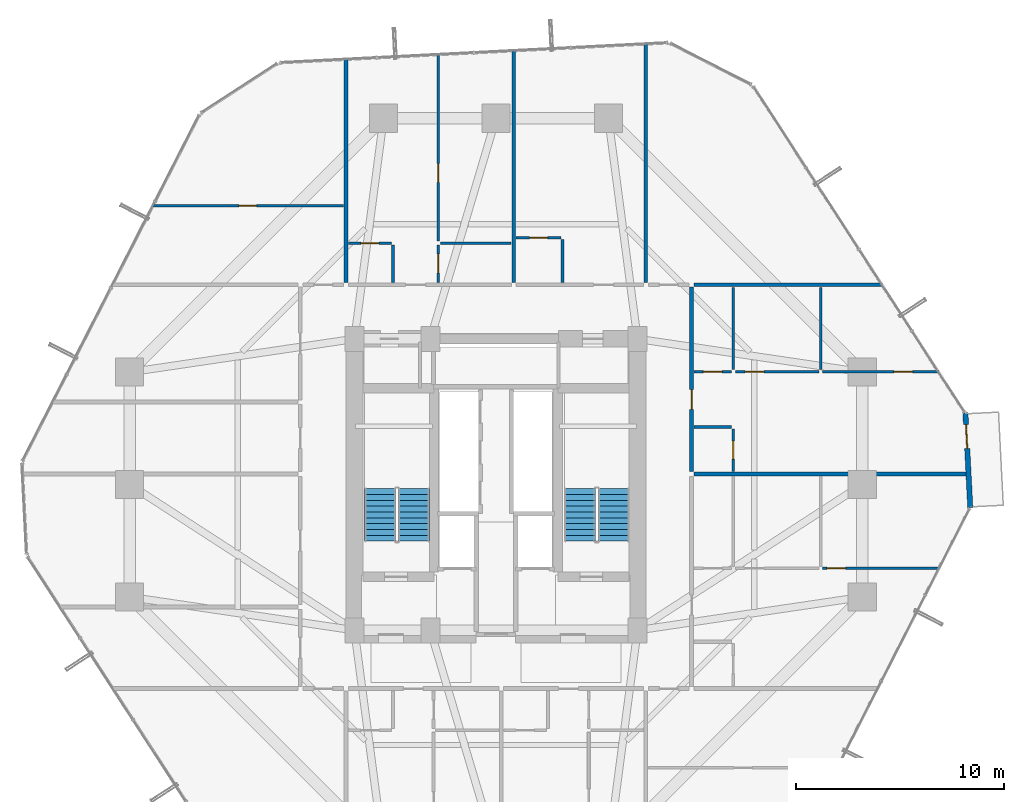
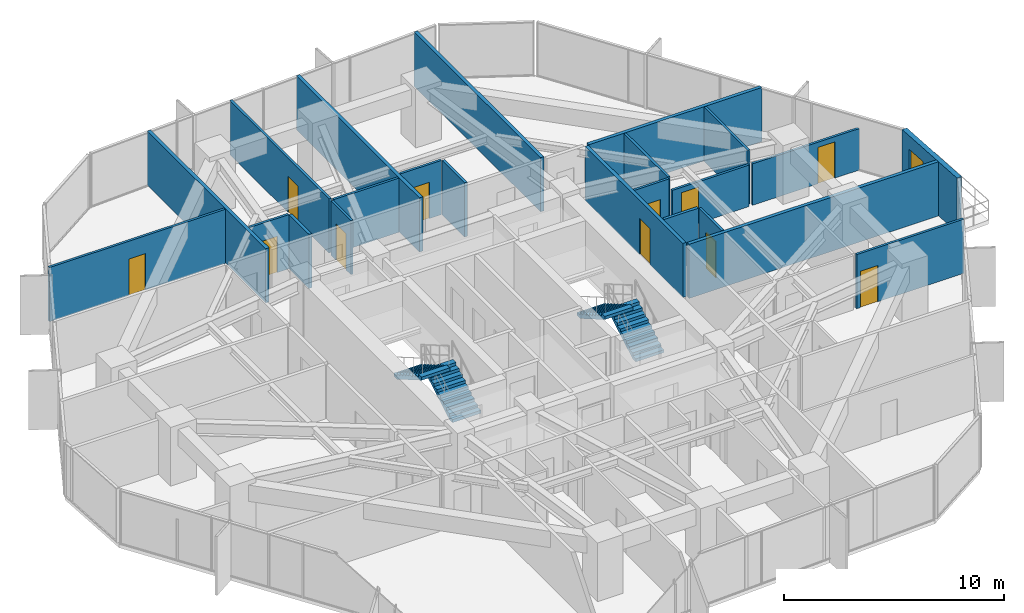
# One storey, part 35 of 37: 23 walls, 12 doors, 4 stair flights, 12 openings, 2 elements without a shape of their own.
"""IFC4 building model written with IfcOpenShell, lengths in metres."""

import ifcopenshell
import ifcopenshell.guid

model = None  # the IFC model being written
_history = None  # IfcOwnerHistory: only IFC2X3 demands one
_inside = {}  # id of a spatial element -> (the spatial element, [elements in it])
_under = {}  # id of a project, library or spatial element -> (it, [spatial elements below it])
_declared = {}  # id of a project -> (the project, [libraries it declares])
_typed = {}  # id of a type object -> (the type object, [elements of that type])
_made_of = {}  # id of a material, layer set ... -> (it, [elements and type objects made of it])


def new_model(schema):
    """Start an empty IFC model of exactly this schema.

    Asked for "IFC4X3", IfcOpenShell would pick the latest addendum, in which some entities
    have other attributes; the version numbers below select the first issue.
    IFC2X3 requires an IfcOwnerHistory on every rooted entity: one is made here for all.
    """
    global model, _history
    if schema == "IFC4X3":
        model = ifcopenshell.file(schema_version=(4, 3, 0, 0))
    else:
        model = ifcopenshell.file(schema=schema)
    _inside.clear()
    _under.clear()
    _declared.clear()
    _typed.clear()
    _made_of.clear()
    _history = None
    if model.schema == "IFC2X3":
        org = make("IfcOrganization", Name="unknown")
        user = make(
            "IfcPersonAndOrganization",
            ThePerson=make("IfcPerson", FamilyName="unknown"),
            TheOrganization=org,
        )
        app = make(
            "IfcApplication",
            ApplicationDeveloper=org,
            Version="unknown",
            ApplicationFullName="unknown",
            ApplicationIdentifier="unknown",
        )
        _history = make(
            "IfcOwnerHistory",
            OwningUser=user,
            OwningApplication=app,
            ChangeAction="ADDED",
            CreationDate=0,
        )
    return model


def make(cls, **values):
    """One entity of the class cls with the attributes given. An attribute that is None is left unset."""
    return model.create_entity(
        cls, **{name: value for name, value in values.items() if value is not None}
    )


def rooted(cls, **values):
    """An entity with a GlobalId (a new one), such as an element, a storey or a relation."""
    return make(cls, GlobalId=ifcopenshell.guid.new(), OwnerHistory=_history, **values)


def si_unit(unit_type, name, prefix=None):
    """IfcSIUnit, for example si_unit("LENGTHUNIT", "METRE", prefix="MILLI")."""
    return make("IfcSIUnit", UnitType=unit_type, Prefix=prefix, Name=name)


def assignment(units):
    """IfcUnitAssignment: the units of a project."""
    return None if units is None else make("IfcUnitAssignment", Units=units)


def point(xyz):
    """IfcCartesianPoint."""
    return None if xyz is None else make("IfcCartesianPoint", Coordinates=xyz)


def direction(xyz):
    """IfcDirection."""
    return None if xyz is None else make("IfcDirection", DirectionRatios=xyz)


def frame(location, z_axis=None, x_axis=None):
    """IfcAxis2Placement3D, a coordinate frame: its origin and axes. An axis left out is left unset."""
    return make(
        "IfcAxis2Placement3D",
        Location=point(location),
        Axis=direction(z_axis),
        RefDirection=direction(x_axis),
    )


def frame_2d(location, x_axis=None):
    """IfcAxis2Placement2D, a coordinate frame in the plane: its origin and x axis."""
    return make(
        "IfcAxis2Placement2D", Location=point(location), RefDirection=direction(x_axis)
    )


def origin():
    """The frame at (0, 0, 0) with its axes left unset."""
    return frame((0.0, 0.0, 0.0))


def place(relative_to, where):
    """IfcLocalPlacement: puts the frame where relative to a parent placement (None: the world)."""
    return make(
        "IfcLocalPlacement", PlacementRelTo=relative_to, RelativePlacement=where
    )


def context(
    kind, dimensions, precision=None, world=None, true_north=None, identifier=None
):
    """IfcGeometricRepresentationContext, for example the 3D "Model" context."""
    return make(
        "IfcGeometricRepresentationContext",
        ContextIdentifier=identifier,
        ContextType=kind,
        CoordinateSpaceDimension=dimensions,
        Precision=precision,
        WorldCoordinateSystem=world,
        TrueNorth=true_north,
    )


def subcontext(parent, identifier, kind, view, scale=None):
    """IfcGeometricRepresentationSubContext, for example "Body" below "Model"."""
    return make(
        "IfcGeometricRepresentationSubContext",
        ContextIdentifier=identifier,
        ContextType=kind,
        ParentContext=parent,
        TargetScale=scale,
        TargetView=view,
    )


def project(units=None, contexts=None):
    """IfcProject with its units and contexts."""
    return rooted(
        "IfcProject",
        Name="project",
        RepresentationContexts=contexts,
        UnitsInContext=assignment(units),
    )


def spatial(cls, under=None, at=None, **own):
    """A site, building, storey or space (cls), placed at a placement, below another one or the project."""
    s = rooted(cls, ObjectPlacement=at, **own)
    if under is not None:
        _under.setdefault(under.id(), (under, []))[1].append(s)
    return s


def polyline(points):
    """IfcPolyline through the points."""
    return make("IfcPolyline", Points=[point(p) for p in points])


def profile(cls, at=None, kind="AREA", **sizes):
    """A parametric profile (cls). Its sizes go by their IFC names, for example OverallWidth=200.0."""
    return make(cls, ProfileType=kind, Position=at, **sizes)


def rectangle(**sizes):
    """IfcRectangleProfileDef."""
    return profile("IfcRectangleProfileDef", **sizes)


def outline(outer, holes=None, kind="AREA"):
    """IfcArbitraryClosedProfileDef: a profile drawn as a closed curve; with holes, ...WithVoids."""
    if holes is None:
        return make("IfcArbitraryClosedProfileDef", ProfileType=kind, OuterCurve=outer)
    return make(
        "IfcArbitraryProfileDefWithVoids",
        ProfileType=kind,
        OuterCurve=outer,
        InnerCurves=holes,
    )


def extrude(swept, where, along, depth):
    """IfcExtrudedAreaSolid: the profile swept, set in the frame where, extruded along a direction by depth."""
    return make(
        "IfcExtrudedAreaSolid",
        SweptArea=swept,
        Position=where,
        ExtrudedDirection=direction(along),
        Depth=depth,
    )


def shape(context_of_items, identifier, shape_type, items):
    """IfcShapeRepresentation: the items that make up one representation, for example the "Body"."""
    return make(
        "IfcShapeRepresentation",
        ContextOfItems=context_of_items,
        RepresentationIdentifier=identifier,
        RepresentationType=shape_type,
        Items=items,
    )


def source(mapping_origin, context_of_items, identifier, shape_type, items):
    """IfcRepresentationMap: a shape defined once, which mapped items show again and again."""
    return make(
        "IfcRepresentationMap",
        MappingOrigin=mapping_origin,
        MappedRepresentation=shape(context_of_items, identifier, shape_type, items),
    )


def transform(
    local_origin,
    x_axis=None,
    y_axis=None,
    z_axis=None,
    scale=None,
    scale2=None,
    scale3=None,
    uniform=True,
):
    """IfcCartesianTransformationOperator3D, or its non-uniform kind. x_axis, y_axis, z_axis: its Axis1, 2, 3."""
    if uniform:
        return make(
            "IfcCartesianTransformationOperator3D",
            Axis1=direction(x_axis),
            Axis2=direction(y_axis),
            LocalOrigin=point(local_origin),
            Scale=scale,
            Axis3=direction(z_axis),
        )
    return make(
        "IfcCartesianTransformationOperator3DnonUniform",
        Axis1=direction(x_axis),
        Axis2=direction(y_axis),
        LocalOrigin=point(local_origin),
        Scale=scale,
        Axis3=direction(z_axis),
        Scale2=scale2,
        Scale3=scale3,
    )


def mapped(mapping_source, mapping_target):
    """IfcMappedItem: shows the shape of a source again, moved by a transform."""
    return make(
        "IfcMappedItem", MappingSource=mapping_source, MappingTarget=mapping_target
    )


def material(Name=None, Category=None):
    """IfcMaterial."""
    return make("IfcMaterial", Name=Name, Category=Category)


def layer(
    of_material, thickness, ventilated=None, Name=None, Category=None, Priority=None
):
    """IfcMaterialLayer: one layer of a wall or slab, of a material (None: an air gap)."""
    return make(
        "IfcMaterialLayer",
        Material=of_material,
        LayerThickness=thickness,
        IsVentilated=ventilated,
        Name=Name,
        Category=Category,
        Priority=Priority,
    )


def layer_set(layers, Name=None):
    """IfcMaterialLayerSet."""
    return make("IfcMaterialLayerSet", MaterialLayers=layers, LayerSetName=Name)


def made_of(thing, what):
    """Note that an element or type object is made of a material, layer set ...; save() writes the relation."""
    if what is not None:
        _made_of.setdefault(what.id(), (what, []))[1].append(thing)
    return thing


def type_object(cls, material=None, **own):
    """A type object (cls), such as IfcWallType, which elements share."""
    return made_of(rooted(cls, **own), material)


def element(
    cls,
    number,
    at=None,
    inside=None,
    cuts=None,
    type_object=None,
    material=None,
    context=None,
    identifier="Body",
    shape_type=None,
    held_by="IfcProductDefinitionShape",
    body=None,
    shapes=None,
    **own,
):
    """One element of the class cls, such as IfcWall. Its Tag is "e" and its number.

    at: its placement. inside: the storey or other place that contains it. cuts: it is an
    opening in that element (IfcRelVoidsElement). A single representation is given by context,
    identifier, shape_type and body (its items); several are given by shapes. held_by: the class
    of the entity that holds the representations. save() writes the other relations.
    """
    e = rooted(cls, Tag="e%d" % number, ObjectPlacement=at, **own)
    if body is not None:
        shapes = [shape(context, identifier, shape_type, body)]
    if shapes is not None:
        e.Representation = make(held_by, Representations=shapes)
    if inside is not None:
        _inside.setdefault(inside.id(), (inside, []))[1].append(e)
    if cuts is not None:
        rooted(
            "IfcRelVoidsElement", RelatingBuildingElement=cuts, RelatedOpeningElement=e
        )
    if type_object is not None:
        _typed.setdefault(type_object.id(), (type_object, []))[1].append(e)
    return made_of(e, material)


def fill(opening, filler):
    """IfcRelFillsElement: the door or window that sits in an opening."""
    return rooted(
        "IfcRelFillsElement",
        RelatingOpeningElement=opening,
        RelatedBuildingElement=filler,
    )


def aggregate(whole, parts):
    """IfcRelAggregates: a whole, such as a stair, and the parts it consists of."""
    return rooted("IfcRelAggregates", RelatingObject=whole, RelatedObjects=parts)


def save(model, path):
    """Write the relations noted so far, then the file.

    IfcRelAggregates (storeys below a building ...), IfcRelContainedInSpatialStructure (elements
    in a storey), IfcRelDefinesByType, IfcRelAssociatesMaterial and IfcRelDeclares: one each for
    every whole, place, type object, material and project.
    """
    for whole, parts in _under.values():
        aggregate(whole, parts)
    for where, things in _inside.values():
        rooted(
            "IfcRelContainedInSpatialStructure",
            RelatedElements=things,
            RelatingStructure=where,
        )
    for kind, things in _typed.values():
        rooted("IfcRelDefinesByType", RelatedObjects=things, RelatingType=kind)
    for what, things in _made_of.values():
        rooted("IfcRelAssociatesMaterial", RelatedObjects=things, RelatingMaterial=what)
    for by, libraries in _declared.values():
        rooted("IfcRelDeclares", RelatingContext=by, RelatedDefinitions=libraries)
    model.write(path)


model = new_model("IFC4")

# Units and contexts
model_context = context("Model", 3, precision=1e-05, world=origin(), true_north=direction((0.0, 1.0)))
body_context = subcontext(model_context, "Body", "Model", "MODEL_VIEW")
ifc_project = project(units=[si_unit("LENGTHUNIT", "METRE"), si_unit("AREAUNIT", "SQUARE_METRE"), si_unit("VOLUMEUNIT", "CUBIC_METRE"), si_unit("PLANEANGLEUNIT", "RADIAN"), si_unit("MASSUNIT", "GRAM", prefix="KILO")], contexts=[model_context])

# Site, building, storey
site_placement = place(None, origin())
site = spatial("IfcSite", under=ifc_project, at=site_placement, CompositionType="ELEMENT")
building_placement = place(site_placement, origin())
building = spatial("IfcBuilding", under=site, at=building_placement, Name="Veraguas Prism Commons", CompositionType="ELEMENT")
storey_placement = place(building_placement, frame((0.0, 0.0, 33.800048828125)))
storey = spatial("IfcBuildingStorey", under=building, at=storey_placement, Name="L08", CompositionType="ELEMENT", Elevation=33.800048828125)

# Walls
ifc_material_1 = material(Name="Autoclaved aerated masonry block 10 MPa", Category="masonry")
ifc_layer_1 = layer(ifc_material_1, 0.179931640625, Name="Corridor and Inter-Tenancy Partition 180", Category="masonry")
ifc_layer_set_1 = layer_set([ifc_layer_1], Name="Autoclaved aerated masonry block 10 MPa")
wall_type_1 = type_object("IfcWallType", Name="Corridor and Inter-Tenancy Partition 180", PredefinedType="PARTITIONING", material=ifc_layer_set_1)
wall_1_placement = place(storey_placement, frame((16.800048828125, 33.719970703125, 0.0), z_axis=(0.0, 0.0, 1.0), x_axis=(0.0, 1.0, 0.0)))
element("IfcWall", 1, at=wall_1_placement, inside=storey, type_object=wall_type_1, Name="WL-L08-PT016", PredefinedType="PARTITIONING", context=body_context, shape_type="SweptSolid", body=[
    extrude(rectangle(XDim=10.752197265625, YDim=0.179931640625, at=frame_2d((5.3759765625, 0.0))), origin(), (0.0, 0.0, 1.0), 3.0),
])
wall_2_placement = place(storey_placement, frame((31.199951171875, 33.719970703125, 0.0), z_axis=(0.0, 0.0, 1.0), x_axis=(0.0, 1.0, 0.0)))
element("IfcWall", 2, at=wall_2_placement, inside=storey, type_object=wall_type_1, Name="WL-L08-PT017", PredefinedType="PARTITIONING", context=body_context, shape_type="SweptSolid", body=[
    extrude(rectangle(XDim=11.491943359375, YDim=0.179931640625, at=frame_2d((5.74609375, 0.0))), origin(), (0.0, 0.0, 1.0), 3.0),
])
wall_3_placement = place(storey_placement, frame((24.85205078125, 33.719970703125, 0.0), z_axis=(0.0, 0.0, 1.0), x_axis=(0.0, 1.0, 0.0)))
element("IfcWall", 3, at=wall_3_placement, inside=storey, type_object=wall_type_1, Name="WL-L08-PT024", PredefinedType="PARTITIONING", context=body_context, shape_type="SweptSolid", body=[
    extrude(rectangle(XDim=11.165771484375, YDim=0.179931640625, at=frame_2d((5.5830078125, 0.0))), origin(), (0.0, 0.0, 1.0), 3.0),
])
wall_4_placement = place(storey_placement, frame((33.52001953125, 33.60009765625, 0.0), z_axis=(0.0, 0.0, 1.0), x_axis=(1.0, 0.0, 0.0)))
element("IfcWall", 4, at=wall_4_placement, inside=storey, type_object=wall_type_1, Name="WL-L08-PT038", PredefinedType="PARTITIONING", context=body_context, shape_type="SweptSolid", body=[
    extrude(rectangle(XDim=9.061767578125, YDim=0.179931640625, at=frame_2d((4.53076171875, 0.0))), origin(), (0.0, 0.0, 1.0), 3.0),
])
wall_5_placement = place(storey_placement, frame((33.52001953125, 24.508056640625, 0.0), z_axis=(0.0, 0.0, 1.0), x_axis=(1.0, 0.0, 0.0)))
element("IfcWall", 5, at=wall_5_placement, inside=storey, type_object=wall_type_1, Name="WL-L08-PT047", PredefinedType="PARTITIONING", context=body_context, shape_type="SweptSolid", body=[
    extrude(rectangle(XDim=13.21484375, YDim=0.179931640625, at=frame_2d((6.607421875, 0.0))), origin(), (0.0, 0.0, 1.0), 3.0),
])

# Wall, opening, door
wall_6_placement = place(storey_placement, frame((33.39990234375, 24.617919921875, 0.0), z_axis=(0.0, 0.0, 1.0), x_axis=(0.0, 1.0, 0.0)))
wall_6 = element("IfcWall", 6, at=wall_6_placement, inside=storey, type_object=wall_type_1, Name="WL-L08-PT048", PredefinedType="PARTITIONING", context=body_context, shape_type="SweptSolid", body=[
    extrude(rectangle(XDim=8.8720703125, YDim=0.179931640625, at=frame_2d((4.43603515625, 0.0))), origin(), (0.0, 0.0, 1.0), 3.0),
])
opening_1_placement = place(wall_6_placement, frame((2.9951171875, 0.0, 0.0)))
opening_1 = element("IfcOpeningElement", 7, at=opening_1_placement, cuts=wall_6, Name="Opening DR-01", PredefinedType="OPENING", context=body_context, shape_type="SweptSolid", body=[
    extrude(rectangle(XDim=0.949951171875, YDim=2.02001953125, at=frame_2d((0.47509765625, 1.010009765625))), frame((0.0, 0.099853515625, 0.0), z_axis=(0.0, -1.0, 0.0), x_axis=(1.0, 0.0, 0.0)), (0.0, 0.0, 1.0), 0.199951171875),
])
ifc_material_2 = material(Name="Anodised aluminium EN AW-6063 T6", Category="aluminium")
door_type_1 = type_object("IfcDoorType", Name="Apartment Entrance Fire Door 950x2020", OperationType="NOTDEFINED", PredefinedType="DOOR", material=ifc_material_2)
shared_shape_1 = source(origin(), body_context, "Body", "SweptSolid", [
    extrude(rectangle(XDim=0.949951171875, YDim=2.02001953125, at=frame_2d((0.47509765625, 1.010009765625))), frame((0.0, 0.02490234375, 0.0), z_axis=(0.0, -1.0, 0.0), x_axis=(1.0, 0.0, 0.0)), (0.0, 0.0, 1.0), 0.050048828125),
])
door_1_placement = place(opening_1_placement, origin())
door_1 = element("IfcDoor", 8, at=door_1_placement, inside=storey, type_object=door_type_1, Name="Flat 08F Entrance Door", OperationType="SINGLE_SWING_RIGHT", OverallHeight=2.02001953125, OverallWidth=0.949951171875, PredefinedType="DOOR", context=body_context, shape_type="MappedRepresentation", body=[
    mapped(shared_shape_1, transform((0.0, 0.0, 0.0), scale=1.0)),
])
fill(opening_1, door_1)

ifc_material_3 = material(Name="Precast concrete C40/50", Category="concrete")
ifc_layer_2 = layer(ifc_material_3, 0.25, Name="External Loggia and Portal Wall 250", Category="concrete")
ifc_layer_set_2 = layer_set([ifc_layer_2], Name="Precast concrete C40/50")
wall_type_2 = type_object("IfcWallType", Name="External Loggia and Portal Wall 250", PredefinedType="SOLIDWALL", material=ifc_layer_set_2)
wall_7_placement = place(storey_placement, frame((46.78857421875, 22.87744140625, 0.0), z_axis=(0.0, 0.0, 1.0), x_axis=(-0.051280186927, 0.998684305689, 0.0)))
wall_7 = element("IfcWall", 9, at=wall_7_placement, inside=storey, type_object=wall_type_2, Name="Corner Loggia Wall L08-C1", PredefinedType="SOLIDWALL", context=body_context, shape_type="SweptSolid", body=[
    extrude(rectangle(XDim=4.580078125, YDim=0.25, at=frame_2d((2.2900390625, 0.0))), origin(), (0.0, 0.0, 1.0), 3.0),
])
opening_2_placement = place(wall_7_placement, frame((2.860107421875, 0.0, 0.0)))
opening_2 = element("IfcOpeningElement", 10, at=opening_2_placement, cuts=wall_7, Name="Opening DR-10", PredefinedType="OPENING", context=body_context, shape_type="SweptSolid", body=[
    extrude(rectangle(XDim=1.14990234375, YDim=2.25, at=frame_2d((0.574951171875, 1.125))), frame((0.0, 0.135009765625, 0.0), z_axis=(0.0, -1.0, 0.0), x_axis=(1.0, 0.0, 0.0)), (0.0, 0.0, 1.0), 0.27001953125),
])
door_type_2 = type_object("IfcDoorType", Name="Glazed Loggia and Terrace Door 1150x2250", OperationType="NOTDEFINED", PredefinedType="DOOR", material=ifc_material_2)
shared_shape_2 = source(origin(), body_context, "Body", "SweptSolid", [
    extrude(rectangle(XDim=1.14990234375, YDim=2.25, at=frame_2d((0.574951171875, 1.125))), frame((0.0, 0.02490234375, 0.0), z_axis=(0.0, -1.0, 0.0), x_axis=(1.0, 0.0, 0.0)), (0.0, 0.0, 1.0), 0.050048828125),
])
door_2_placement = place(opening_2_placement, frame((1.14990234375, 0.0, 0.0), z_axis=(0.0, 0.0, 1.0), x_axis=(-1.0, 0.0, 0.0)))
door_2 = element("IfcDoor", 11, at=door_2_placement, inside=storey, type_object=door_type_2, Name="Recessed Loggia Door L08-C1", OperationType="SINGLE_SWING_RIGHT", OverallHeight=2.25, OverallWidth=1.14990234375, PredefinedType="DOOR", context=body_context, shape_type="MappedRepresentation", body=[
    mapped(shared_shape_2, transform((0.0, 0.0, 0.0), scale=1.0)),
])
fill(opening_2, door_2)

ifc_material_4 = material(Name="Lightweight acoustic gypsum board")
ifc_layer_3 = layer(ifc_material_4, 0.125, Name="Internal Apartment Room Partition 125")
ifc_layer_set_3 = layer_set([ifc_layer_3], Name="Lightweight acoustic gypsum board")
wall_type_3 = type_object("IfcWallType", Name="Internal Apartment Room Partition 125", PredefinedType="PARTITIONING", material=ifc_layer_set_3)
wall_8_placement = place(storey_placement, frame((16.919921875, 35.60009765625, 0.0), z_axis=(0.0, 0.0, 1.0), x_axis=(1.0, 0.0, 0.0)))
wall_8 = element("IfcWall", 12, at=wall_8_placement, inside=storey, type_object=wall_type_3, Name="WL-L08-PT020", PredefinedType="PARTITIONING", context=body_context, shape_type="SweptSolid", body=[
    extrude(rectangle(XDim=2.050048828125, YDim=0.125, at=frame_2d((1.02490234375, 0.0))), origin(), (0.0, 0.0, 1.0), 3.0),
])
opening_3_placement = place(wall_8_placement, frame((0.594970703125, 0.0, 0.0)))
opening_3 = element("IfcOpeningElement", 13, at=opening_3_placement, cuts=wall_8, Name="Opening DR-03", PredefinedType="OPENING", context=body_context, shape_type="SweptSolid", body=[
    extrude(rectangle(XDim=0.860107421875, YDim=2.010009765625, at=frame_2d((0.43017578125, 1.0048828125))), frame((0.0, 0.072509765625, 0.0), z_axis=(0.0, -1.0, 0.0), x_axis=(1.0, 0.0, 0.0)), (0.0, 0.0, 1.0), 0.14501953125),
])
ifc_material_5 = material(Name="Timber moisture-resistant leaf", Category="wood")
door_type_3 = type_object("IfcDoorType", Name="Internal Bathroom Door 860x2010", OperationType="NOTDEFINED", PredefinedType="DOOR", material=ifc_material_5)
shared_shape_3 = source(origin(), body_context, "Body", "SweptSolid", [
    extrude(rectangle(XDim=0.860107421875, YDim=2.010009765625, at=frame_2d((0.43017578125, 1.0048828125))), frame((0.0, 0.02490234375, 0.0), z_axis=(0.0, -1.0, 0.0), x_axis=(1.0, 0.0, 0.0)), (0.0, 0.0, 1.0), 0.050048828125),
])
door_3_placement = place(opening_3_placement, origin())
door_3 = element("IfcDoor", 14, at=door_3_placement, inside=storey, type_object=door_type_3, Name="Flat 08C Bathroom Door", OperationType="SINGLE_SWING_RIGHT", OverallHeight=2.010009765625, OverallWidth=0.860107421875, PredefinedType="DOOR", context=body_context, shape_type="MappedRepresentation", body=[
    mapped(shared_shape_3, transform((0.0, 0.0, 0.0), scale=1.0)),
])
fill(opening_3, door_3)

wall_9_placement = place(storey_placement, frame((21.22900390625, 33.719970703125, 0.0), z_axis=(0.0, 0.0, 1.0), x_axis=(0.0, 1.0, 0.0)))
wall_9 = element("IfcWall", 15, at=wall_9_placement, inside=storey, type_object=wall_type_3, Name="WL-L08-PT021", PredefinedType="PARTITIONING", context=body_context, shape_type="SweptSolid", body=[
    extrude(rectangle(XDim=1.800048828125, YDim=0.125, at=frame_2d((0.89990234375, 0.0))), origin(), (0.0, 0.0, 1.0), 3.0),
])
opening_4_placement = place(wall_9_placement, frame((0.449951171875, 0.0, 0.0)))
opening_4 = element("IfcOpeningElement", 16, at=opening_4_placement, cuts=wall_9, Name="Opening DR-02", PredefinedType="OPENING", context=body_context, shape_type="SweptSolid", body=[
    extrude(rectangle(XDim=0.89990234375, YDim=2.010009765625, at=frame_2d((0.449951171875, 1.0048828125))), frame((0.0, 0.072509765625, 0.0), z_axis=(0.0, -1.0, 0.0), x_axis=(1.0, 0.0, 0.0)), (0.0, 0.0, 1.0), 0.14501953125),
])
ifc_material_6 = material(Name="Timber solid core hardwood", Category="wood")
door_type_4 = type_object("IfcDoorType", Name="Internal Habitable Room Door 900x2010", OperationType="NOTDEFINED", PredefinedType="DOOR", material=ifc_material_6)
shared_shape_4 = source(origin(), body_context, "Body", "SweptSolid", [
    extrude(rectangle(XDim=0.89990234375, YDim=2.010009765625, at=frame_2d((0.449951171875, 1.0048828125))), frame((0.0, 0.02490234375, 0.0), z_axis=(0.0, -1.0, 0.0), x_axis=(1.0, 0.0, 0.0)), (0.0, 0.0, 1.0), 0.050048828125),
])
door_4_placement = place(opening_4_placement, origin())
door_4 = element("IfcDoor", 17, at=door_4_placement, inside=storey, type_object=door_type_4, Name="Flat 08C Kitchen Door", OperationType="SINGLE_SWING_LEFT", OverallHeight=2.010009765625, OverallWidth=0.89990234375, PredefinedType="DOOR", context=body_context, shape_type="MappedRepresentation", body=[
    mapped(shared_shape_4, transform((0.0, 0.0, 0.0), scale=1.0)),
])
fill(opening_4, door_4)

# Wall
wall_10_placement = place(storey_placement, frame((21.3291015625, 35.60009765625, 0.0), z_axis=(0.0, 0.0, 1.0), x_axis=(1.0, 0.0, 0.0)))
element("IfcWall", 18, at=wall_10_placement, inside=storey, type_object=wall_type_3, Name="WL-L08-PT022", PredefinedType="PARTITIONING", context=body_context, shape_type="SweptSolid", body=[
    extrude(rectangle(XDim=3.40283203125, YDim=0.125, at=frame_2d((1.701416015625, 0.0))), origin(), (0.0, 0.0, 1.0), 3.0),
])

# Wall, opening, door
wall_11_placement = place(storey_placement, frame((21.22900390625, 35.699951171875, 0.0), z_axis=(0.0, 0.0, 1.0), x_axis=(0.0, 1.0, 0.0)))
wall_11 = element("IfcWall", 19, at=wall_11_placement, inside=storey, type_object=wall_type_3, Name="WL-L08-PT023", PredefinedType="PARTITIONING", context=body_context, shape_type="SweptSolid", body=[
    extrude(rectangle(XDim=8.999755859375, YDim=0.125, at=frame_2d((4.5, 0.0))), origin(), (0.0, 0.0, 1.0), 3.0),
])
opening_5_placement = place(wall_11_placement, frame((2.81787109375, 0.0, 0.0)))
opening_5 = element("IfcOpeningElement", 20, at=opening_5_placement, cuts=wall_11, Name="Opening DR-02", PredefinedType="OPENING", context=body_context, shape_type="SweptSolid", body=[
    extrude(rectangle(XDim=0.89990234375, YDim=2.010009765625, at=frame_2d((0.449951171875, 1.0048828125))), frame((0.0, 0.072509765625, 0.0), z_axis=(0.0, -1.0, 0.0), x_axis=(1.0, 0.0, 0.0)), (0.0, 0.0, 1.0), 0.14501953125),
])
door_5_placement = place(opening_5_placement, origin())
door_5 = element("IfcDoor", 21, at=door_5_placement, inside=storey, type_object=door_type_4, Name="Flat 08C Bedroom 1 Door", OperationType="SINGLE_SWING_RIGHT", OverallHeight=2.010009765625, OverallWidth=0.89990234375, PredefinedType="DOOR", context=body_context, shape_type="MappedRepresentation", body=[
    mapped(shared_shape_4, transform((0.0, 0.0, 0.0), scale=1.0)),
])
fill(opening_5, door_5)

wall_12_placement = place(storey_placement, frame((24.971923828125, 35.85009765625, 0.0), z_axis=(0.0, 0.0, 1.0), x_axis=(1.0, 0.0, 0.0)))
wall_12 = element("IfcWall", 22, at=wall_12_placement, inside=storey, type_object=wall_type_3, Name="WL-L08-PT027", PredefinedType="PARTITIONING", context=body_context, shape_type="SweptSolid", body=[
    extrude(rectangle(XDim=2.150146484375, YDim=0.125, at=frame_2d((1.0751953125, 0.0))), origin(), (0.0, 0.0, 1.0), 3.0),
])
opening_6_placement = place(wall_12_placement, frame((0.64501953125, 0.0, 0.0)))
opening_6 = element("IfcOpeningElement", 23, at=opening_6_placement, cuts=wall_12, Name="Opening DR-03", PredefinedType="OPENING", context=body_context, shape_type="SweptSolid", body=[
    extrude(rectangle(XDim=0.860107421875, YDim=2.010009765625, at=frame_2d((0.43017578125, 1.0048828125))), frame((0.0, 0.072509765625, 0.0), z_axis=(0.0, -1.0, 0.0), x_axis=(1.0, 0.0, 0.0)), (0.0, 0.0, 1.0), 0.14501953125),
])
door_6_placement = place(opening_6_placement, origin())
door_6 = element("IfcDoor", 24, at=door_6_placement, inside=storey, type_object=door_type_3, Name="Studio 08D Bathroom Door", OperationType="SINGLE_SWING_RIGHT", OverallHeight=2.010009765625, OverallWidth=0.860107421875, PredefinedType="DOOR", context=body_context, shape_type="MappedRepresentation", body=[
    mapped(shared_shape_3, transform((0.0, 0.0, 0.0), scale=1.0)),
])
fill(opening_6, door_6)

wall_13_placement = place(storey_placement, frame((39.699951171875, 19.971923828125, 0.0), z_axis=(0.0, 0.0, 1.0), x_axis=(1.0, 0.0, 0.0)))
wall_13 = element("IfcWall", 25, at=wall_13_placement, inside=storey, type_object=wall_type_3, Name="WL-L08-PT046", PredefinedType="PARTITIONING", context=body_context, shape_type="SweptSolid", body=[
    extrude(rectangle(XDim=5.61572265625, YDim=0.125, at=frame_2d((2.807861328125, 0.0))), origin(), (0.0, 0.0, 1.0), 3.0),
])
opening_7_placement = place(wall_13_placement, frame((0.199951171875, 0.0, 0.0)))
opening_7 = element("IfcOpeningElement", 26, at=opening_7_placement, cuts=wall_13, Name="Opening DR-02", PredefinedType="OPENING", context=body_context, shape_type="SweptSolid", body=[
    extrude(rectangle(XDim=0.89990234375, YDim=2.010009765625, at=frame_2d((0.449951171875, 1.0048828125))), frame((0.0, 0.072509765625, 0.0), z_axis=(0.0, -1.0, 0.0), x_axis=(1.0, 0.0, 0.0)), (0.0, 0.0, 1.0), 0.14501953125),
])
door_7_placement = place(opening_7_placement, origin())
door_7 = element("IfcDoor", 27, at=door_7_placement, inside=storey, type_object=door_type_4, Name="Flat 08E Bedroom 2 Door", OperationType="SINGLE_SWING_LEFT", OverallHeight=2.010009765625, OverallWidth=0.89990234375, PredefinedType="DOOR", context=body_context, shape_type="MappedRepresentation", body=[
    mapped(shared_shape_4, transform((0.0, 0.0, 0.0), scale=1.0)),
])
fill(opening_7, door_7)

wall_14_placement = place(storey_placement, frame((35.39990234375, 24.6279296875, 0.0), z_axis=(0.0, 0.0, 1.0), x_axis=(0.0, 1.0, 0.0)))
wall_14 = element("IfcWall", 28, at=wall_14_placement, inside=storey, type_object=wall_type_3, Name="WL-L08-PT050", PredefinedType="PARTITIONING", context=body_context, shape_type="SweptSolid", body=[
    extrude(rectangle(XDim=2.050048828125, YDim=0.125, at=frame_2d((1.02490234375, 0.0))), origin(), (0.0, 0.0, 1.0), 3.0),
])
opening_8_placement = place(wall_14_placement, frame((0.594970703125, 0.0, 0.0)))
opening_8 = element("IfcOpeningElement", 29, at=opening_8_placement, cuts=wall_14, Name="Opening DR-03", PredefinedType="OPENING", context=body_context, shape_type="SweptSolid", body=[
    extrude(rectangle(XDim=0.860107421875, YDim=2.010009765625, at=frame_2d((0.43017578125, 1.0048828125))), frame((0.0, 0.072509765625, 0.0), z_axis=(0.0, -1.0, 0.0), x_axis=(1.0, 0.0, 0.0)), (0.0, 0.0, 1.0), 0.14501953125),
])
door_8_placement = place(opening_8_placement, origin())
door_8 = element("IfcDoor", 30, at=door_8_placement, inside=storey, type_object=door_type_3, Name="Flat 08F Bathroom Door", OperationType="SINGLE_SWING_LEFT", OverallHeight=2.010009765625, OverallWidth=0.860107421875, PredefinedType="DOOR", context=body_context, shape_type="MappedRepresentation", body=[
    mapped(shared_shape_3, transform((0.0, 0.0, 0.0), scale=1.0)),
])
fill(opening_8, door_8)

wall_15_placement = place(storey_placement, frame((33.52001953125, 29.41796875, 0.0), z_axis=(0.0, 0.0, 1.0), x_axis=(1.0, 0.0, 0.0)))
wall_15 = element("IfcWall", 31, at=wall_15_placement, inside=storey, type_object=wall_type_3, Name="WL-L08-PT051", PredefinedType="PARTITIONING", context=body_context, shape_type="SweptSolid", body=[
    extrude(rectangle(XDim=1.800048828125, YDim=0.125, at=frame_2d((0.89990234375, 0.0))), origin(), (0.0, 0.0, 1.0), 3.0),
])
opening_9_placement = place(wall_15_placement, frame((0.449951171875, 0.0, 0.0)))
opening_9 = element("IfcOpeningElement", 32, at=opening_9_placement, cuts=wall_15, Name="Opening DR-02", PredefinedType="OPENING", context=body_context, shape_type="SweptSolid", body=[
    extrude(rectangle(XDim=0.89990234375, YDim=2.010009765625, at=frame_2d((0.449951171875, 1.0048828125))), frame((0.0, 0.072509765625, 0.0), z_axis=(0.0, -1.0, 0.0), x_axis=(1.0, 0.0, 0.0)), (0.0, 0.0, 1.0), 0.14501953125),
])
door_9_placement = place(opening_9_placement, origin())
door_9 = element("IfcDoor", 33, at=door_9_placement, inside=storey, type_object=door_type_4, Name="Flat 08F Kitchen Door", OperationType="SINGLE_SWING_RIGHT", OverallHeight=2.010009765625, OverallWidth=0.89990234375, PredefinedType="DOOR", context=body_context, shape_type="MappedRepresentation", body=[
    mapped(shared_shape_4, transform((0.0, 0.0, 0.0), scale=1.0)),
])
fill(opening_9, door_9)

# Walls
for number, where, z_axis, x_axis, name in (
    (34, (35.39990234375, 29.51806640625, 0.0), (0.0, 0.0, 1.0), (0.0, 1.0, 0.0), "WL-L08-PT052"),
    (35, (39.60009765625, 29.51806640625, 0.0), (0.0, 0.0, 1.0), (0.0, 1.0, 0.0), "WL-L08-PT053"),
):
    element("IfcWall", number, at=place(storey_placement, frame(where, z_axis=z_axis, x_axis=x_axis)), inside=storey, type_object=wall_type_3, Name=name, PredefinedType="PARTITIONING", context=body_context, shape_type="SweptSolid", body=[
        extrude(rectangle(XDim=3.9619140625, YDim=0.125, at=frame_2d((1.98095703125, 0.0))), origin(), (0.0, 0.0, 1.0), 3.0),
    ])

# Wall, opening, door
wall_16_placement = place(storey_placement, frame((35.5, 29.41796875, 0.0), z_axis=(0.0, 0.0, 1.0), x_axis=(1.0, 0.0, 0.0)))
wall_16 = element("IfcWall", 36, at=wall_16_placement, inside=storey, type_object=wall_type_3, Name="WL-L08-PT054", PredefinedType="PARTITIONING", context=body_context, shape_type="SweptSolid", body=[
    extrude(rectangle(XDim=4.02001953125, YDim=0.125, at=frame_2d((2.010009765625, 0.0))), origin(), (0.0, 0.0, 1.0), 2.299072265625),
])
opening_10_placement = place(wall_16_placement, frame((0.471923828125, 0.0, 0.0)))
opening_10 = element("IfcOpeningElement", 37, at=opening_10_placement, cuts=wall_16, Name="Opening DR-02", PredefinedType="OPENING", context=body_context, shape_type="SweptSolid", body=[
    extrude(rectangle(XDim=0.89990234375, YDim=2.010009765625, at=frame_2d((0.449951171875, 1.0048828125))), frame((0.0, 0.072509765625, 0.0), z_axis=(0.0, -1.0, 0.0), x_axis=(1.0, 0.0, 0.0)), (0.0, 0.0, 1.0), 0.14501953125),
])
door_10_placement = place(opening_10_placement, origin())
door_10 = element("IfcDoor", 38, at=door_10_placement, inside=storey, type_object=door_type_4, Name="Flat 08F Bedroom 1 Door", OperationType="SINGLE_SWING_LEFT", OverallHeight=2.010009765625, OverallWidth=0.89990234375, PredefinedType="DOOR", context=body_context, shape_type="MappedRepresentation", body=[
    mapped(shared_shape_4, transform((0.0, 0.0, 0.0), scale=1.0)),
])
fill(opening_10, door_10)

wall_17_placement = place(storey_placement, frame((39.699951171875, 29.41796875, 0.0), z_axis=(0.0, 0.0, 1.0), x_axis=(1.0, 0.0, 0.0)))
wall_17 = element("IfcWall", 39, at=wall_17_placement, inside=storey, type_object=wall_type_3, Name="WL-L08-PT055", PredefinedType="PARTITIONING", context=body_context, shape_type="SweptSolid", body=[
    extrude(rectangle(XDim=5.59130859375, YDim=0.125, at=frame_2d((2.795654296875, 0.0))), origin(), (0.0, 0.0, 1.0), 2.299072265625),
])
opening_11_placement = place(wall_17_placement, frame((3.41845703125, 0.0, 0.0)))
opening_11 = element("IfcOpeningElement", 40, at=opening_11_placement, cuts=wall_17, Name="Opening DR-02", PredefinedType="OPENING", context=body_context, shape_type="SweptSolid", body=[
    extrude(rectangle(XDim=0.89990234375, YDim=2.010009765625, at=frame_2d((0.449951171875, 1.0048828125))), frame((0.0, 0.072509765625, 0.0), z_axis=(0.0, -1.0, 0.0), x_axis=(1.0, 0.0, 0.0)), (0.0, 0.0, 1.0), 0.14501953125),
])
door_11_placement = place(opening_11_placement, origin())
door_11 = element("IfcDoor", 41, at=door_11_placement, inside=storey, type_object=door_type_4, Name="Flat 08F Bedroom 2 Door", OperationType="SINGLE_SWING_RIGHT", OverallHeight=2.010009765625, OverallWidth=0.89990234375, PredefinedType="DOOR", context=body_context, shape_type="MappedRepresentation", body=[
    mapped(shared_shape_4, transform((0.0, 0.0, 0.0), scale=1.0)),
])
fill(opening_11, door_11)

wall_18_placement = place(storey_placement, frame((7.471923828125, 37.39990234375, 0.0), z_axis=(0.0, 0.0, 1.0), x_axis=(1.0, 0.0, 0.0)))
wall_18 = element("IfcWall", 42, at=wall_18_placement, inside=storey, type_object=wall_type_3, Name="WL-L08-PT060", PredefinedType="PARTITIONING", context=body_context, shape_type="SweptSolid", body=[
    extrude(rectangle(XDim=9.2080078125, YDim=0.125, at=frame_2d((4.60400390625, 0.0))), origin(), (0.0, 0.0, 1.0), 3.0),
])
opening_12_placement = place(wall_18_placement, frame((4.174072265625, 0.0, 0.0)))
opening_12 = element("IfcOpeningElement", 43, at=opening_12_placement, cuts=wall_18, Name="Opening DR-03", PredefinedType="OPENING", context=body_context, shape_type="SweptSolid", body=[
    extrude(rectangle(XDim=0.860107421875, YDim=2.010009765625, at=frame_2d((0.43017578125, 1.0048828125))), frame((0.0, 0.072509765625, 0.0), z_axis=(0.0, -1.0, 0.0), x_axis=(1.0, 0.0, 0.0)), (0.0, 0.0, 1.0), 0.14501953125),
])
door_12_placement = place(opening_12_placement, origin())
door_12 = element("IfcDoor", 44, at=door_12_placement, inside=storey, type_object=door_type_3, Name="Corner Store NW Door", OperationType="SINGLE_SWING_LEFT", OverallHeight=2.010009765625, OverallWidth=0.860107421875, PredefinedType="DOOR", context=body_context, shape_type="MappedRepresentation", body=[
    mapped(shared_shape_3, transform((0.0, 0.0, 0.0), scale=1.0)),
])
fill(opening_12, door_12)

# Walls
ifc_layer_4 = layer(ifc_material_4, 0.14990234375, Name="Wet Room and Clinic Acoustic Partition 150")
ifc_layer_set_4 = layer_set([ifc_layer_4], Name="Lightweight acoustic gypsum board")
wall_type_4 = type_object("IfcWallType", Name="Wet Room and Clinic Acoustic Partition 150", PredefinedType="PARTITIONING", material=ifc_layer_set_4)
wall_19_placement = place(storey_placement, frame((19.050048828125, 33.719970703125, 0.0), z_axis=(0.0, 0.0, 1.0), x_axis=(0.0, 1.0, 0.0)))
element("IfcWall", 45, at=wall_19_placement, inside=storey, type_object=wall_type_4, Name="WL-L08-PT019", PredefinedType="PARTITIONING", context=body_context, shape_type="SweptSolid", body=[
    extrude(rectangle(XDim=1.800048828125, YDim=0.14990234375, at=frame_2d((0.89990234375, 0.0))), origin(), (0.0, 0.0, 1.0), 3.0),
])
wall_20_placement = place(storey_placement, frame((27.201904296875, 33.719970703125, 0.0), z_axis=(0.0, 0.0, 1.0), x_axis=(0.0, 1.0, 0.0)))
element("IfcWall", 46, at=wall_20_placement, inside=storey, type_object=wall_type_4, Name="WL-L08-PT026", PredefinedType="PARTITIONING", context=body_context, shape_type="SweptSolid", body=[
    extrude(rectangle(XDim=2.050048828125, YDim=0.14990234375, at=frame_2d((1.02490234375, 0.0))), origin(), (0.0, 0.0, 1.0), 3.0),
])
wall_21_placement = place(storey_placement, frame((33.52001953125, 26.758056640625, 0.0), z_axis=(0.0, 0.0, 1.0), x_axis=(1.0, 0.0, 0.0)))
element("IfcWall", 47, at=wall_21_placement, inside=storey, type_object=wall_type_4, Name="WL-L08-PT049", PredefinedType="PARTITIONING", context=body_context, shape_type="SweptSolid", body=[
    extrude(rectangle(XDim=1.800048828125, YDim=0.14990234375, at=frame_2d((0.89990234375, 0.0))), origin(), (0.0, 0.0, 1.0), 3.0),
])

# Stair, stair flights
ifc_material_7 = material(Name="Precast concrete C45/55", Category="concrete")
stair_type = type_object("IfcStairType", Name="Dogleg Core Stair 1480W 20R 05", PredefinedType="HALF_TURN_STAIR", material=ifc_material_7)
stair_1_placement = place(storey_placement, origin())
stair_1 = element("IfcStair", 48, at=stair_1_placement, inside=storey, type_object=stair_type, Name="Protected Exit Stair ST-01 L08", PredefinedType="HALF_TURN_STAIR")
stair_flight_type = type_object("IfcStairFlightType", Name="Precast Stair Flight 1480W 10R 05", PredefinedType="STRAIGHT", material=ifc_material_7)
stair_flight_1_placement = place(storey_placement, frame((20.06005859375, 21.280029296875, 0.0), z_axis=(0.0, 0.0, 1.0), x_axis=(0.0, 1.0, 0.0)))
stair_flight_1 = element("IfcStairFlight", 49, at=stair_flight_1_placement, type_object=stair_flight_type, Name="ST-05 Flight 1", NumberOfRisers=10, NumberOfTreads=9, PredefinedType="STRAIGHT", RiserHeight=0.1625, TreadLength=0.28, context=body_context, shape_type="SweptSolid", body=[
    extrude(outline(polyline([(0.0, 0.0), (0.0, 0.16259765625), (0.280029296875, 0.16259765625), (0.280029296875, 0.324951171875), (0.56005859375, 0.324951171875), (0.56005859375, 0.487548828125), (0.840087890625, 0.487548828125), (0.840087890625, 0.64990234375), (1.1201171875, 0.64990234375), (1.1201171875, 0.8125), (1.39990234375, 0.8125), (1.39990234375, 0.97509765625), (1.679931640625, 0.97509765625), (1.679931640625, 1.137451171875), (1.9599609375, 1.137451171875), (1.9599609375, 1.300048828125), (2.239990234375, 1.300048828125), (2.239990234375, 1.46240234375), (2.52001953125, 1.46240234375), (2.52001953125, 1.625), (2.52001953125, 1.2890625), (0.298583984375, 0.0), (0.0, 0.0)])), frame((0.0, 0.739990234375, 0.0), z_axis=(0.0, -1.0, 0.0), x_axis=(1.0, 0.0, 0.0)), (0.0, 0.0, 1.0), 1.47998046875),
])
stair_flight_2_placement = place(storey_placement, frame((18.429931640625, 23.800048828125, 1.625), z_axis=(0.0, 0.0, 1.0), x_axis=(0.0, -1.0, 0.0)))
stair_flight_2 = element("IfcStairFlight", 50, at=stair_flight_2_placement, type_object=stair_flight_type, Name="ST-05 Flight 2", NumberOfRisers=10, NumberOfTreads=9, PredefinedType="STRAIGHT", RiserHeight=0.1625, TreadLength=0.28, context=body_context, shape_type="SweptSolid", body=[
    extrude(outline(polyline([(0.0, 0.0), (0.0, 0.16259765625), (0.280029296875, 0.16259765625), (0.280029296875, 0.324951171875), (0.56005859375, 0.324951171875), (0.56005859375, 0.487548828125), (0.840087890625, 0.487548828125), (0.840087890625, 0.64990234375), (1.1201171875, 0.64990234375), (1.1201171875, 0.8125), (1.39990234375, 0.8125), (1.39990234375, 0.97509765625), (1.679931640625, 0.97509765625), (1.679931640625, 1.137451171875), (1.9599609375, 1.137451171875), (1.9599609375, 1.300048828125), (2.239990234375, 1.300048828125), (2.239990234375, 1.46240234375), (2.52001953125, 1.46240234375), (2.52001953125, 1.625), (2.52001953125, 1.2890625), (0.298583984375, 0.0), (0.0, 0.0)])), frame((0.0, 0.739990234375, 0.0), z_axis=(0.0, -1.0, 0.0), x_axis=(1.0, 0.0, 0.0)), (0.0, 0.0, 1.0), 1.47998046875),
])
aggregate(stair_1, [stair_flight_1, stair_flight_2])

stair_2_placement = place(storey_placement, origin())
stair_2 = element("IfcStair", 51, at=stair_2_placement, inside=storey, type_object=stair_type, Name="Protected Exit Stair ST-02 L08", PredefinedType="HALF_TURN_STAIR")
stair_flight_3_placement = place(storey_placement, frame((29.659912109375, 21.280029296875, 0.0), z_axis=(0.0, 0.0, 1.0), x_axis=(0.0, 1.0, 0.0)))
stair_flight_3 = element("IfcStairFlight", 52, at=stair_flight_3_placement, type_object=stair_flight_type, Name="ST-05 Flight 1", NumberOfRisers=10, NumberOfTreads=9, PredefinedType="STRAIGHT", RiserHeight=0.1625, TreadLength=0.28, context=body_context, shape_type="SweptSolid", body=[
    extrude(outline(polyline([(0.0, 0.0), (0.0, 0.16259765625), (0.280029296875, 0.16259765625), (0.280029296875, 0.324951171875), (0.56005859375, 0.324951171875), (0.56005859375, 0.487548828125), (0.840087890625, 0.487548828125), (0.840087890625, 0.64990234375), (1.1201171875, 0.64990234375), (1.1201171875, 0.8125), (1.39990234375, 0.8125), (1.39990234375, 0.97509765625), (1.679931640625, 0.97509765625), (1.679931640625, 1.137451171875), (1.9599609375, 1.137451171875), (1.9599609375, 1.300048828125), (2.239990234375, 1.300048828125), (2.239990234375, 1.46240234375), (2.52001953125, 1.46240234375), (2.52001953125, 1.625), (2.52001953125, 1.2890625), (0.298583984375, 0.0), (0.0, 0.0)])), frame((0.0, 0.739990234375, 0.0), z_axis=(0.0, -1.0, 0.0), x_axis=(1.0, 0.0, 0.0)), (0.0, 0.0, 1.0), 1.47998046875),
])
stair_flight_4_placement = place(storey_placement, frame((28.030029296875, 23.800048828125, 1.625), z_axis=(0.0, 0.0, 1.0), x_axis=(0.0, -1.0, 0.0)))
stair_flight_4 = element("IfcStairFlight", 53, at=stair_flight_4_placement, type_object=stair_flight_type, Name="ST-05 Flight 2", NumberOfRisers=10, NumberOfTreads=9, PredefinedType="STRAIGHT", RiserHeight=0.1625, TreadLength=0.28, context=body_context, shape_type="SweptSolid", body=[
    extrude(outline(polyline([(0.0, 0.0), (0.0, 0.16259765625), (0.280029296875, 0.16259765625), (0.280029296875, 0.324951171875), (0.56005859375, 0.324951171875), (0.56005859375, 0.487548828125), (0.840087890625, 0.487548828125), (0.840087890625, 0.64990234375), (1.1201171875, 0.64990234375), (1.1201171875, 0.8125), (1.39990234375, 0.8125), (1.39990234375, 0.97509765625), (1.679931640625, 0.97509765625), (1.679931640625, 1.137451171875), (1.9599609375, 1.137451171875), (1.9599609375, 1.300048828125), (2.239990234375, 1.300048828125), (2.239990234375, 1.46240234375), (2.52001953125, 1.46240234375), (2.52001953125, 1.625), (2.52001953125, 1.2890625), (0.298583984375, 0.0), (0.0, 0.0)])), frame((0.0, 0.739990234375, 0.0), z_axis=(0.0, -1.0, 0.0), x_axis=(1.0, 0.0, 0.0)), (0.0, 0.0, 1.0), 1.47998046875),
])
aggregate(stair_2, [stair_flight_3, stair_flight_4])

save(model, "model.ifc")
